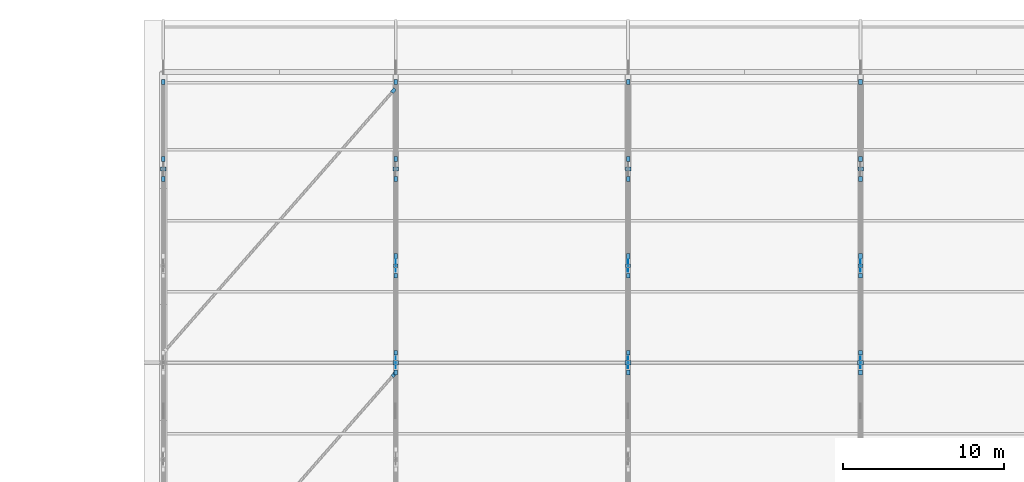
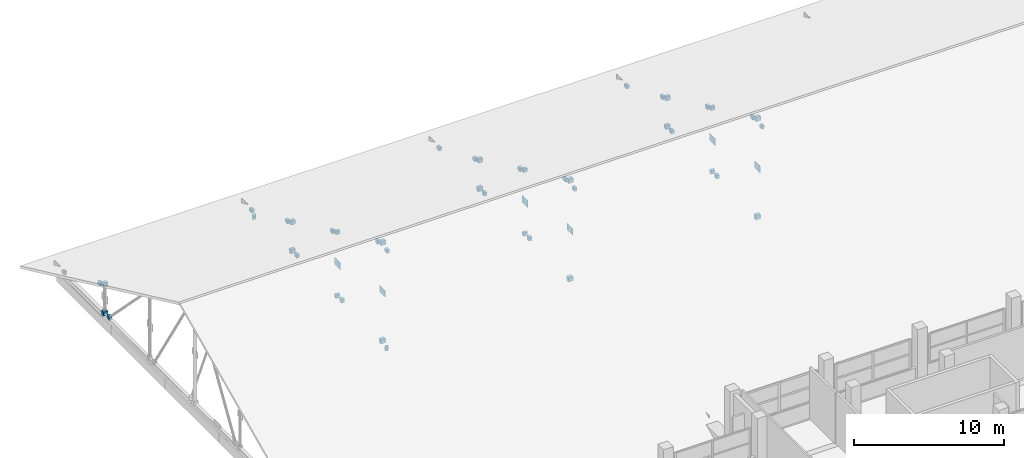
# One storey, part 123 of 141: 52 plates, 4 elements without a shape of their own.
"""IFC4 building model written with IfcOpenShell, lengths in metres."""

from ifc_helpers import new_model, si_unit, direction, frame, origin, origin_2d, place, context, subcontext, project, spatial, rectangle, extrude, material, layer, layer_set, type_object, element, aggregate, save


model = new_model("IFC4")

# Units and contexts
model_context = context("Model", 3, precision=1e-05, world=origin(), true_north=direction((0.0, 1.0)))
body_context = subcontext(model_context, "Body", "Model", "MODEL_VIEW")
ifc_project = project(units=[si_unit("LENGTHUNIT", "METRE"), si_unit("AREAUNIT", "SQUARE_METRE"), si_unit("VOLUMEUNIT", "CUBIC_METRE"), si_unit("PLANEANGLEUNIT", "RADIAN"), si_unit("MASSUNIT", "GRAM", prefix="KILO")], contexts=[model_context])

# Site, building, storey
site_placement = place(None, origin())
site = spatial("IfcSite", under=ifc_project, at=site_placement, CompositionType="ELEMENT")
building_placement = place(site_placement, origin())
building = spatial("IfcBuilding", under=site, at=building_placement, Name="Seraya Terrace Polytechnic", CompositionType="ELEMENT")
storey_placement = place(building_placement, frame((0.0, 0.0, 14.39990234375)))
storey = spatial("IfcBuildingStorey", under=building, at=storey_placement, Name="L03", CompositionType="ELEMENT", Elevation=14.39990234375)

# Assembly, plates
ifc_material = material(Name="Steel S355J2", Category="steel")
element_assembly_type = type_object("IfcElementAssemblyType", Name="TR-A1", PredefinedType="TRUSS", material=ifc_material)
assembly_1_placement = place(storey_placement, origin())
assembly_1 = element("IfcElementAssembly", 1, at=assembly_1_placement, inside=storey, type_object=element_assembly_type, Name="Pitched steel roof truss TR-02", AssemblyPlace="SITE", PredefinedType="TRUSS")
ifc_layer_1 = layer(ifc_material, 0.340087890625, Name="EP-01")
ifc_layer_set_1 = layer_set([ifc_layer_1], Name="Steel S355J2")
plate_type_1 = type_object("IfcPlateType", Name="EP-01", PredefinedType="USERDEFINED", material=ifc_layer_set_1)
plate_1_placement = place(storey_placement, frame((28.800048828125, 97.199951171875, 0.10302734375), z_axis=(0.0, 0.0, 1.0), x_axis=(1.0, 0.0, 0.0)))
plate_1 = element("IfcPlate", 2, at=plate_1_placement, type_object=plate_type_1, Name="Hollow end-cap plate TR-02-V4 start", ObjectType="FLANGE_PLATE", PredefinedType="USERDEFINED", context=body_context, shape_type="SweptSolid", body=[
    extrude(rectangle(XDim=0.360107421875, YDim=0.280029296875, at=origin_2d()), origin(), (0.0, 0.0, 1.0), 0.340087890625),
])
plate_2_placement = place(storey_placement, frame((28.800048828125, 97.199951171875, 8.08154296875), z_axis=(0.0, 0.0, 1.0), x_axis=(1.0, 0.0, 0.0)))
plate_2 = element("IfcPlate", 3, at=plate_2_placement, type_object=plate_type_1, Name="Hollow end-cap plate TR-02-V4 end", ObjectType="FLANGE_PLATE", PredefinedType="USERDEFINED", context=body_context, shape_type="SweptSolid", body=[
    extrude(rectangle(XDim=0.360107421875, YDim=0.280029296875, at=origin_2d()), origin(), (0.0, 0.0, 1.0), 0.340087890625),
])

assembly_2_placement = place(storey_placement, origin())
assembly_2 = element("IfcElementAssembly", 4, at=assembly_2_placement, inside=storey, type_object=element_assembly_type, Name="Pitched steel roof truss TR-03", AssemblyPlace="SITE", PredefinedType="TRUSS")
plate_3_placement = place(storey_placement, frame((43.199951171875, 97.199951171875, 0.10302734375), z_axis=(0.0, 0.0, 1.0), x_axis=(1.0, 0.0, 0.0)))
plate_3 = element("IfcPlate", 5, at=plate_3_placement, type_object=plate_type_1, Name="Hollow end-cap plate TR-03-V4 start", ObjectType="FLANGE_PLATE", PredefinedType="USERDEFINED", context=body_context, shape_type="SweptSolid", body=[
    extrude(rectangle(XDim=0.360107421875, YDim=0.280029296875, at=origin_2d()), origin(), (0.0, 0.0, 1.0), 0.340087890625),
])
plate_4_placement = place(storey_placement, frame((43.199951171875, 97.199951171875, 8.08154296875), z_axis=(0.0, 0.0, 1.0), x_axis=(1.0, 0.0, 0.0)))
plate_4 = element("IfcPlate", 6, at=plate_4_placement, type_object=plate_type_1, Name="Hollow end-cap plate TR-03-V4 end", ObjectType="FLANGE_PLATE", PredefinedType="USERDEFINED", context=body_context, shape_type="SweptSolid", body=[
    extrude(rectangle(XDim=0.360107421875, YDim=0.280029296875, at=origin_2d()), origin(), (0.0, 0.0, 1.0), 0.340087890625),
])

assembly_3_placement = place(storey_placement, origin())
assembly_3 = element("IfcElementAssembly", 7, at=assembly_3_placement, inside=storey, type_object=element_assembly_type, Name="Pitched steel roof truss TR-04", AssemblyPlace="SITE", PredefinedType="TRUSS")
plate_5_placement = place(storey_placement, frame((57.60009765625, 97.199951171875, 0.10302734375), z_axis=(0.0, 0.0, 1.0), x_axis=(1.0, 0.0, 0.0)))
plate_5 = element("IfcPlate", 8, at=plate_5_placement, type_object=plate_type_1, Name="Hollow end-cap plate TR-04-V4 start", ObjectType="FLANGE_PLATE", PredefinedType="USERDEFINED", context=body_context, shape_type="SweptSolid", body=[
    extrude(rectangle(XDim=0.360107421875, YDim=0.280029296875, at=origin_2d()), origin(), (0.0, 0.0, 1.0), 0.340087890625),
])
plate_6_placement = place(storey_placement, frame((57.60009765625, 97.199951171875, 8.08154296875), z_axis=(0.0, 0.0, 1.0), x_axis=(1.0, 0.0, 0.0)))
plate_6 = element("IfcPlate", 9, at=plate_6_placement, type_object=plate_type_1, Name="Hollow end-cap plate TR-04-V4 end", ObjectType="FLANGE_PLATE", PredefinedType="USERDEFINED", context=body_context, shape_type="SweptSolid", body=[
    extrude(rectangle(XDim=0.360107421875, YDim=0.280029296875, at=origin_2d()), origin(), (0.0, 0.0, 1.0), 0.340087890625),
])

assembly_4_placement = place(storey_placement, origin())
assembly_4 = element("IfcElementAssembly", 10, at=assembly_4_placement, inside=storey, type_object=element_assembly_type, Name="Pitched steel roof truss TR-01", AssemblyPlace="SITE", PredefinedType="TRUSS")
ifc_layer_2 = layer(ifc_material, 0.320068359375, Name="EP-02")
ifc_layer_set_2 = layer_set([ifc_layer_2], Name="Steel S355J2")
plate_type_2 = type_object("IfcPlateType", Name="EP-02", PredefinedType="USERDEFINED", material=ifc_layer_set_2)
plate_7_placement = place(storey_placement, frame((14.39990234375, 109.199951171875, 0.138671875), z_axis=(0.0, 0.0, 1.0), x_axis=(1.0, 0.0, 0.0)))
plate_7 = element("IfcPlate", 11, at=plate_7_placement, type_object=plate_type_2, Name="Hollow end-cap plate TR-01-V6 start", ObjectType="FLANGE_PLATE", PredefinedType="USERDEFINED", context=body_context, shape_type="SweptSolid", body=[
    extrude(rectangle(XDim=0.340087890625, YDim=0.260009765625, at=origin_2d()), origin(), (0.0, 0.0, 1.0), 0.320068359375),
])
plate_8_placement = place(storey_placement, frame((14.39990234375, 109.199951171875, 2.4658203125), z_axis=(0.0, 0.0, 1.0), x_axis=(1.0, 0.0, 0.0)))
plate_8 = element("IfcPlate", 12, at=plate_8_placement, type_object=plate_type_2, Name="Hollow end-cap plate TR-01-V6 end", ObjectType="FLANGE_PLATE", PredefinedType="USERDEFINED", context=body_context, shape_type="SweptSolid", body=[
    extrude(rectangle(XDim=0.340087890625, YDim=0.260009765625, at=origin_2d()), origin(), (0.0, 0.0, 1.0), 0.320068359375),
])

# Plate
plate_9_placement = place(storey_placement, frame((28.800048828125, 109.199951171875, 0.138671875), z_axis=(0.0, 0.0, 1.0), x_axis=(1.0, 0.0, 0.0)))
plate_9 = element("IfcPlate", 13, at=plate_9_placement, type_object=plate_type_2, Name="Hollow end-cap plate TR-02-V6 start", ObjectType="FLANGE_PLATE", PredefinedType="USERDEFINED", context=body_context, shape_type="SweptSolid", body=[
    extrude(rectangle(XDim=0.340087890625, YDim=0.260009765625, at=origin_2d()), origin(), (0.0, 0.0, 1.0), 0.320068359375),
])

plate_10_placement = place(storey_placement, frame((28.800048828125, 109.199951171875, 2.4658203125), z_axis=(0.0, 0.0, 1.0), x_axis=(1.0, 0.0, 0.0)))
plate_10 = element("IfcPlate", 14, at=plate_10_placement, type_object=plate_type_2, Name="Hollow end-cap plate TR-02-V6 end", ObjectType="FLANGE_PLATE", PredefinedType="USERDEFINED", context=body_context, shape_type="SweptSolid", body=[
    extrude(rectangle(XDim=0.340087890625, YDim=0.260009765625, at=origin_2d()), origin(), (0.0, 0.0, 1.0), 0.320068359375),
])

plate_11_placement = place(storey_placement, frame((43.199951171875, 109.199951171875, 0.138671875), z_axis=(0.0, 0.0, 1.0), x_axis=(1.0, 0.0, 0.0)))
plate_11 = element("IfcPlate", 15, at=plate_11_placement, type_object=plate_type_2, Name="Hollow end-cap plate TR-03-V6 start", ObjectType="FLANGE_PLATE", PredefinedType="USERDEFINED", context=body_context, shape_type="SweptSolid", body=[
    extrude(rectangle(XDim=0.340087890625, YDim=0.260009765625, at=origin_2d()), origin(), (0.0, 0.0, 1.0), 0.320068359375),
])

plate_12_placement = place(storey_placement, frame((43.199951171875, 109.199951171875, 2.4658203125), z_axis=(0.0, 0.0, 1.0), x_axis=(1.0, 0.0, 0.0)))
plate_12 = element("IfcPlate", 16, at=plate_12_placement, type_object=plate_type_2, Name="Hollow end-cap plate TR-03-V6 end", ObjectType="FLANGE_PLATE", PredefinedType="USERDEFINED", context=body_context, shape_type="SweptSolid", body=[
    extrude(rectangle(XDim=0.340087890625, YDim=0.260009765625, at=origin_2d()), origin(), (0.0, 0.0, 1.0), 0.320068359375),
])

plate_13_placement = place(storey_placement, frame((57.60009765625, 109.199951171875, 0.138671875), z_axis=(0.0, 0.0, 1.0), x_axis=(1.0, 0.0, 0.0)))
plate_13 = element("IfcPlate", 17, at=plate_13_placement, type_object=plate_type_2, Name="Hollow end-cap plate TR-04-V6 start", ObjectType="FLANGE_PLATE", PredefinedType="USERDEFINED", context=body_context, shape_type="SweptSolid", body=[
    extrude(rectangle(XDim=0.340087890625, YDim=0.260009765625, at=origin_2d()), origin(), (0.0, 0.0, 1.0), 0.320068359375),
])

plate_14_placement = place(storey_placement, frame((57.60009765625, 109.199951171875, 2.4658203125), z_axis=(0.0, 0.0, 1.0), x_axis=(1.0, 0.0, 0.0)))
plate_14 = element("IfcPlate", 18, at=plate_14_placement, type_object=plate_type_2, Name="Hollow end-cap plate TR-04-V6 end", ObjectType="FLANGE_PLATE", PredefinedType="USERDEFINED", context=body_context, shape_type="SweptSolid", body=[
    extrude(rectangle(XDim=0.340087890625, YDim=0.260009765625, at=origin_2d()), origin(), (0.0, 0.0, 1.0), 0.320068359375),
])

ifc_layer_3 = layer(ifc_material, 0.280029296875, Name="EP-03")
ifc_layer_set_3 = layer_set([ifc_layer_3], Name="Steel S355J2")
plate_type_3 = type_object("IfcPlateType", Name="EP-03", PredefinedType="USERDEFINED", material=ifc_layer_set_3)
plate_15_placement = place(storey_placement, frame((14.39990234375, 108.585693359375, 0.1455078125), z_axis=(0.0, 0.0, 1.0), x_axis=(0.0, 1.0, 0.0)))
plate_15 = element("IfcPlate", 19, at=plate_15_placement, type_object=plate_type_3, Name="Hollow end-cap plate TR-01-D5 end", ObjectType="FLANGE_PLATE", PredefinedType="USERDEFINED", context=body_context, shape_type="SweptSolid", body=[
    extrude(rectangle(XDim=0.300048828125, YDim=0.219970703125, at=origin_2d()), origin(), (0.0, 0.0, 1.0), 0.280029296875),
])

plate_16_placement = place(storey_placement, frame((14.39990234375, 109.8125, 2.181640625), z_axis=(0.0, 0.0, 1.0), x_axis=(0.0, 1.0, 0.0)))
plate_16 = element("IfcPlate", 20, at=plate_16_placement, type_object=plate_type_3, Name="Hollow end-cap plate TR-01-D6 start", ObjectType="FLANGE_PLATE", PredefinedType="USERDEFINED", context=body_context, shape_type="SweptSolid", body=[
    extrude(rectangle(XDim=0.300048828125, YDim=0.219970703125, at=origin_2d()), origin(), (0.0, 0.0, 1.0), 0.280029296875),
])

plate_17_placement = place(storey_placement, frame((14.39990234375, 114.58740234375, 0.17333984375), z_axis=(0.0, 0.0, 1.0), x_axis=(0.0, 1.0, 0.0)))
plate_17 = element("IfcPlate", 21, at=plate_17_placement, type_object=plate_type_3, Name="Hollow end-cap plate TR-01-D6 end", ObjectType="FLANGE_PLATE", PredefinedType="USERDEFINED", context=body_context, shape_type="SweptSolid", body=[
    extrude(rectangle(XDim=0.300048828125, YDim=0.219970703125, at=origin_2d()), origin(), (0.0, 0.0, 1.0), 0.280029296875),
])

aggregate(assembly_4, [plate_7, plate_8, plate_15, plate_16, plate_17])

plate_18_placement = place(storey_placement, frame((28.800048828125, 103.199951171875, 0.13330078125), z_axis=(0.0, 0.0, 1.0), x_axis=(1.0, 0.0, 0.0)))
plate_18 = element("IfcPlate", 22, at=plate_18_placement, type_object=plate_type_3, Name="Hollow end-cap plate TR-02-V5 start", ObjectType="FLANGE_PLATE", PredefinedType="USERDEFINED", context=body_context, shape_type="SweptSolid", body=[
    extrude(rectangle(XDim=0.300048828125, YDim=0.219970703125, at=origin_2d()), origin(), (0.0, 0.0, 1.0), 0.280029296875),
])

plate_19_placement = place(storey_placement, frame((28.800048828125, 103.199951171875, 5.3115234375), z_axis=(0.0, 0.0, 1.0), x_axis=(1.0, 0.0, 0.0)))
plate_19 = element("IfcPlate", 23, at=plate_19_placement, type_object=plate_type_3, Name="Hollow end-cap plate TR-02-V5 end", ObjectType="FLANGE_PLATE", PredefinedType="USERDEFINED", context=body_context, shape_type="SweptSolid", body=[
    extrude(rectangle(XDim=0.300048828125, YDim=0.219970703125, at=origin_2d()), origin(), (0.0, 0.0, 1.0), 0.280029296875),
])

plate_20_placement = place(storey_placement, frame((28.800048828125, 96.584228515625, 7.81103515625), z_axis=(0.0, 0.0, 1.0), x_axis=(0.0, 1.0, 0.0)))
plate_20 = element("IfcPlate", 24, at=plate_20_placement, type_object=plate_type_3, Name="Hollow end-cap plate TR-02-D3 end", ObjectType="FLANGE_PLATE", PredefinedType="USERDEFINED", context=body_context, shape_type="SweptSolid", body=[
    extrude(rectangle(XDim=0.300048828125, YDim=0.219970703125, at=origin_2d()), origin(), (0.0, 0.0, 1.0), 0.280029296875),
])

plate_21_placement = place(storey_placement, frame((28.800048828125, 97.81591796875, 7.81103515625), z_axis=(0.0, 0.0, 1.0), x_axis=(0.0, 1.0, 0.0)))
plate_21 = element("IfcPlate", 25, at=plate_21_placement, type_object=plate_type_3, Name="Hollow end-cap plate TR-02-D4 start", ObjectType="FLANGE_PLATE", PredefinedType="USERDEFINED", context=body_context, shape_type="SweptSolid", body=[
    extrude(rectangle(XDim=0.300048828125, YDim=0.219970703125, at=origin_2d()), origin(), (0.0, 0.0, 1.0), 0.280029296875),
])

plate_22_placement = place(storey_placement, frame((28.800048828125, 102.584228515625, 0.14404296875), z_axis=(0.0, 0.0, 1.0), x_axis=(0.0, 1.0, 0.0)))
plate_22 = element("IfcPlate", 26, at=plate_22_placement, type_object=plate_type_3, Name="Hollow end-cap plate TR-02-D4 end", ObjectType="FLANGE_PLATE", PredefinedType="USERDEFINED", context=body_context, shape_type="SweptSolid", body=[
    extrude(rectangle(XDim=0.300048828125, YDim=0.219970703125, at=origin_2d()), origin(), (0.0, 0.0, 1.0), 0.280029296875),
])

plate_23_placement = place(storey_placement, frame((28.800048828125, 103.814453125, 5.009765625), z_axis=(0.0, 0.0, 1.0), x_axis=(0.0, 1.0, 0.0)))
plate_23 = element("IfcPlate", 27, at=plate_23_placement, type_object=plate_type_3, Name="Hollow end-cap plate TR-02-D5 start", ObjectType="FLANGE_PLATE", PredefinedType="USERDEFINED", context=body_context, shape_type="SweptSolid", body=[
    extrude(rectangle(XDim=0.300048828125, YDim=0.219970703125, at=origin_2d()), origin(), (0.0, 0.0, 1.0), 0.280029296875),
])

plate_24_placement = place(storey_placement, frame((28.800048828125, 108.585693359375, 0.1455078125), z_axis=(0.0, 0.0, 1.0), x_axis=(0.0, 1.0, 0.0)))
plate_24 = element("IfcPlate", 28, at=plate_24_placement, type_object=plate_type_3, Name="Hollow end-cap plate TR-02-D5 end", ObjectType="FLANGE_PLATE", PredefinedType="USERDEFINED", context=body_context, shape_type="SweptSolid", body=[
    extrude(rectangle(XDim=0.300048828125, YDim=0.219970703125, at=origin_2d()), origin(), (0.0, 0.0, 1.0), 0.280029296875),
])

plate_25_placement = place(storey_placement, frame((28.800048828125, 109.8125, 2.181640625), z_axis=(0.0, 0.0, 1.0), x_axis=(0.0, 1.0, 0.0)))
plate_25 = element("IfcPlate", 29, at=plate_25_placement, type_object=plate_type_3, Name="Hollow end-cap plate TR-02-D6 start", ObjectType="FLANGE_PLATE", PredefinedType="USERDEFINED", context=body_context, shape_type="SweptSolid", body=[
    extrude(rectangle(XDim=0.300048828125, YDim=0.219970703125, at=origin_2d()), origin(), (0.0, 0.0, 1.0), 0.280029296875),
])

plate_26_placement = place(storey_placement, frame((28.800048828125, 114.58740234375, 0.17333984375), z_axis=(0.0, 0.0, 1.0), x_axis=(0.0, 1.0, 0.0)))
plate_26 = element("IfcPlate", 30, at=plate_26_placement, type_object=plate_type_3, Name="Hollow end-cap plate TR-02-D6 end", ObjectType="FLANGE_PLATE", PredefinedType="USERDEFINED", context=body_context, shape_type="SweptSolid", body=[
    extrude(rectangle(XDim=0.300048828125, YDim=0.219970703125, at=origin_2d()), origin(), (0.0, 0.0, 1.0), 0.280029296875),
])

plate_27_placement = place(storey_placement, frame((43.199951171875, 103.199951171875, 0.13330078125), z_axis=(0.0, 0.0, 1.0), x_axis=(1.0, 0.0, 0.0)))
plate_27 = element("IfcPlate", 31, at=plate_27_placement, type_object=plate_type_3, Name="Hollow end-cap plate TR-03-V5 start", ObjectType="FLANGE_PLATE", PredefinedType="USERDEFINED", context=body_context, shape_type="SweptSolid", body=[
    extrude(rectangle(XDim=0.300048828125, YDim=0.219970703125, at=origin_2d()), origin(), (0.0, 0.0, 1.0), 0.280029296875),
])

plate_28_placement = place(storey_placement, frame((43.199951171875, 103.199951171875, 5.3115234375), z_axis=(0.0, 0.0, 1.0), x_axis=(1.0, 0.0, 0.0)))
plate_28 = element("IfcPlate", 32, at=plate_28_placement, type_object=plate_type_3, Name="Hollow end-cap plate TR-03-V5 end", ObjectType="FLANGE_PLATE", PredefinedType="USERDEFINED", context=body_context, shape_type="SweptSolid", body=[
    extrude(rectangle(XDim=0.300048828125, YDim=0.219970703125, at=origin_2d()), origin(), (0.0, 0.0, 1.0), 0.280029296875),
])

plate_29_placement = place(storey_placement, frame((43.199951171875, 96.584228515625, 7.81103515625), z_axis=(0.0, 0.0, 1.0), x_axis=(0.0, 1.0, 0.0)))
plate_29 = element("IfcPlate", 33, at=plate_29_placement, type_object=plate_type_3, Name="Hollow end-cap plate TR-03-D3 end", ObjectType="FLANGE_PLATE", PredefinedType="USERDEFINED", context=body_context, shape_type="SweptSolid", body=[
    extrude(rectangle(XDim=0.300048828125, YDim=0.219970703125, at=origin_2d()), origin(), (0.0, 0.0, 1.0), 0.280029296875),
])

plate_30_placement = place(storey_placement, frame((43.199951171875, 97.81591796875, 7.81103515625), z_axis=(0.0, 0.0, 1.0), x_axis=(0.0, 1.0, 0.0)))
plate_30 = element("IfcPlate", 34, at=plate_30_placement, type_object=plate_type_3, Name="Hollow end-cap plate TR-03-D4 start", ObjectType="FLANGE_PLATE", PredefinedType="USERDEFINED", context=body_context, shape_type="SweptSolid", body=[
    extrude(rectangle(XDim=0.300048828125, YDim=0.219970703125, at=origin_2d()), origin(), (0.0, 0.0, 1.0), 0.280029296875),
])

plate_31_placement = place(storey_placement, frame((43.199951171875, 102.584228515625, 0.14404296875), z_axis=(0.0, 0.0, 1.0), x_axis=(0.0, 1.0, 0.0)))
plate_31 = element("IfcPlate", 35, at=plate_31_placement, type_object=plate_type_3, Name="Hollow end-cap plate TR-03-D4 end", ObjectType="FLANGE_PLATE", PredefinedType="USERDEFINED", context=body_context, shape_type="SweptSolid", body=[
    extrude(rectangle(XDim=0.300048828125, YDim=0.219970703125, at=origin_2d()), origin(), (0.0, 0.0, 1.0), 0.280029296875),
])

plate_32_placement = place(storey_placement, frame((43.199951171875, 103.814453125, 5.009765625), z_axis=(0.0, 0.0, 1.0), x_axis=(0.0, 1.0, 0.0)))
plate_32 = element("IfcPlate", 36, at=plate_32_placement, type_object=plate_type_3, Name="Hollow end-cap plate TR-03-D5 start", ObjectType="FLANGE_PLATE", PredefinedType="USERDEFINED", context=body_context, shape_type="SweptSolid", body=[
    extrude(rectangle(XDim=0.300048828125, YDim=0.219970703125, at=origin_2d()), origin(), (0.0, 0.0, 1.0), 0.280029296875),
])

plate_33_placement = place(storey_placement, frame((43.199951171875, 108.585693359375, 0.1455078125), z_axis=(0.0, 0.0, 1.0), x_axis=(0.0, 1.0, 0.0)))
plate_33 = element("IfcPlate", 37, at=plate_33_placement, type_object=plate_type_3, Name="Hollow end-cap plate TR-03-D5 end", ObjectType="FLANGE_PLATE", PredefinedType="USERDEFINED", context=body_context, shape_type="SweptSolid", body=[
    extrude(rectangle(XDim=0.300048828125, YDim=0.219970703125, at=origin_2d()), origin(), (0.0, 0.0, 1.0), 0.280029296875),
])

plate_34_placement = place(storey_placement, frame((43.199951171875, 109.8125, 2.181640625), z_axis=(0.0, 0.0, 1.0), x_axis=(0.0, 1.0, 0.0)))
plate_34 = element("IfcPlate", 38, at=plate_34_placement, type_object=plate_type_3, Name="Hollow end-cap plate TR-03-D6 start", ObjectType="FLANGE_PLATE", PredefinedType="USERDEFINED", context=body_context, shape_type="SweptSolid", body=[
    extrude(rectangle(XDim=0.300048828125, YDim=0.219970703125, at=origin_2d()), origin(), (0.0, 0.0, 1.0), 0.280029296875),
])

plate_35_placement = place(storey_placement, frame((43.199951171875, 114.58740234375, 0.17333984375), z_axis=(0.0, 0.0, 1.0), x_axis=(0.0, 1.0, 0.0)))
plate_35 = element("IfcPlate", 39, at=plate_35_placement, type_object=plate_type_3, Name="Hollow end-cap plate TR-03-D6 end", ObjectType="FLANGE_PLATE", PredefinedType="USERDEFINED", context=body_context, shape_type="SweptSolid", body=[
    extrude(rectangle(XDim=0.300048828125, YDim=0.219970703125, at=origin_2d()), origin(), (0.0, 0.0, 1.0), 0.280029296875),
])

plate_36_placement = place(storey_placement, frame((57.60009765625, 103.199951171875, 0.13330078125), z_axis=(0.0, 0.0, 1.0), x_axis=(1.0, 0.0, 0.0)))
plate_36 = element("IfcPlate", 40, at=plate_36_placement, type_object=plate_type_3, Name="Hollow end-cap plate TR-04-V5 start", ObjectType="FLANGE_PLATE", PredefinedType="USERDEFINED", context=body_context, shape_type="SweptSolid", body=[
    extrude(rectangle(XDim=0.300048828125, YDim=0.219970703125, at=origin_2d()), origin(), (0.0, 0.0, 1.0), 0.280029296875),
])

plate_37_placement = place(storey_placement, frame((57.60009765625, 103.199951171875, 5.3115234375), z_axis=(0.0, 0.0, 1.0), x_axis=(1.0, 0.0, 0.0)))
plate_37 = element("IfcPlate", 41, at=plate_37_placement, type_object=plate_type_3, Name="Hollow end-cap plate TR-04-V5 end", ObjectType="FLANGE_PLATE", PredefinedType="USERDEFINED", context=body_context, shape_type="SweptSolid", body=[
    extrude(rectangle(XDim=0.300048828125, YDim=0.219970703125, at=origin_2d()), origin(), (0.0, 0.0, 1.0), 0.280029296875),
])

plate_38_placement = place(storey_placement, frame((57.60009765625, 96.584228515625, 7.81103515625), z_axis=(0.0, 0.0, 1.0), x_axis=(0.0, 1.0, 0.0)))
plate_38 = element("IfcPlate", 42, at=plate_38_placement, type_object=plate_type_3, Name="Hollow end-cap plate TR-04-D3 end", ObjectType="FLANGE_PLATE", PredefinedType="USERDEFINED", context=body_context, shape_type="SweptSolid", body=[
    extrude(rectangle(XDim=0.300048828125, YDim=0.219970703125, at=origin_2d()), origin(), (0.0, 0.0, 1.0), 0.280029296875),
])

plate_39_placement = place(storey_placement, frame((57.60009765625, 97.81591796875, 7.81103515625), z_axis=(0.0, 0.0, 1.0), x_axis=(0.0, 1.0, 0.0)))
plate_39 = element("IfcPlate", 43, at=plate_39_placement, type_object=plate_type_3, Name="Hollow end-cap plate TR-04-D4 start", ObjectType="FLANGE_PLATE", PredefinedType="USERDEFINED", context=body_context, shape_type="SweptSolid", body=[
    extrude(rectangle(XDim=0.300048828125, YDim=0.219970703125, at=origin_2d()), origin(), (0.0, 0.0, 1.0), 0.280029296875),
])

plate_40_placement = place(storey_placement, frame((57.60009765625, 102.584228515625, 0.14404296875), z_axis=(0.0, 0.0, 1.0), x_axis=(0.0, 1.0, 0.0)))
plate_40 = element("IfcPlate", 44, at=plate_40_placement, type_object=plate_type_3, Name="Hollow end-cap plate TR-04-D4 end", ObjectType="FLANGE_PLATE", PredefinedType="USERDEFINED", context=body_context, shape_type="SweptSolid", body=[
    extrude(rectangle(XDim=0.300048828125, YDim=0.219970703125, at=origin_2d()), origin(), (0.0, 0.0, 1.0), 0.280029296875),
])

plate_41_placement = place(storey_placement, frame((57.60009765625, 103.814453125, 5.009765625), z_axis=(0.0, 0.0, 1.0), x_axis=(0.0, 1.0, 0.0)))
plate_41 = element("IfcPlate", 45, at=plate_41_placement, type_object=plate_type_3, Name="Hollow end-cap plate TR-04-D5 start", ObjectType="FLANGE_PLATE", PredefinedType="USERDEFINED", context=body_context, shape_type="SweptSolid", body=[
    extrude(rectangle(XDim=0.300048828125, YDim=0.219970703125, at=origin_2d()), origin(), (0.0, 0.0, 1.0), 0.280029296875),
])

plate_42_placement = place(storey_placement, frame((57.60009765625, 108.585693359375, 0.1455078125), z_axis=(0.0, 0.0, 1.0), x_axis=(0.0, 1.0, 0.0)))
plate_42 = element("IfcPlate", 46, at=plate_42_placement, type_object=plate_type_3, Name="Hollow end-cap plate TR-04-D5 end", ObjectType="FLANGE_PLATE", PredefinedType="USERDEFINED", context=body_context, shape_type="SweptSolid", body=[
    extrude(rectangle(XDim=0.300048828125, YDim=0.219970703125, at=origin_2d()), origin(), (0.0, 0.0, 1.0), 0.280029296875),
])

plate_43_placement = place(storey_placement, frame((57.60009765625, 109.8125, 2.181640625), z_axis=(0.0, 0.0, 1.0), x_axis=(0.0, 1.0, 0.0)))
plate_43 = element("IfcPlate", 47, at=plate_43_placement, type_object=plate_type_3, Name="Hollow end-cap plate TR-04-D6 start", ObjectType="FLANGE_PLATE", PredefinedType="USERDEFINED", context=body_context, shape_type="SweptSolid", body=[
    extrude(rectangle(XDim=0.300048828125, YDim=0.219970703125, at=origin_2d()), origin(), (0.0, 0.0, 1.0), 0.280029296875),
])

plate_44_placement = place(storey_placement, frame((57.60009765625, 114.58740234375, 0.17333984375), z_axis=(0.0, 0.0, 1.0), x_axis=(0.0, 1.0, 0.0)))
plate_44 = element("IfcPlate", 48, at=plate_44_placement, type_object=plate_type_3, Name="Hollow end-cap plate TR-04-D6 end", ObjectType="FLANGE_PLATE", PredefinedType="USERDEFINED", context=body_context, shape_type="SweptSolid", body=[
    extrude(rectangle(XDim=0.300048828125, YDim=0.219970703125, at=origin_2d()), origin(), (0.0, 0.0, 1.0), 0.280029296875),
])

# Plates
for number, where, z_axis, x_axis, name in (
    (49, (28.687255859375, 96.4560546875, 0.01025390625), (0.0, 0.0, 1.0), (0.659870537582, 0.751379314082, 0.0), "Hollow end-cap plate RBR-B1-S1 end"),
    (50, (28.663330078125, 114.055908203125, 0.01025390625), (0.0, 0.0, 1.0), (0.659870537582, 0.751379314082, 0.0), "Hollow end-cap plate RBR-B1-N1 end"),
):
    element("IfcPlate", number, at=place(storey_placement, frame(where, z_axis=z_axis, x_axis=x_axis)), inside=storey, type_object=plate_type_3, Name=name, ObjectType="FLANGE_PLATE", PredefinedType="USERDEFINED", context=body_context, shape_type="SweptSolid", body=[
        extrude(rectangle(XDim=0.300048828125, YDim=0.219970703125, at=origin_2d()), origin(), (0.0, 0.0, 1.0), 0.280029296875),
    ])

# Plate
ifc_layer_4 = layer(ifc_material, 0.02392578125, Name="TN-04")
ifc_layer_set_4 = layer_set([ifc_layer_4], Name="Steel S355J2")
plate_type_4 = type_object("IfcPlateType", Name="TN-04", PredefinedType="USERDEFINED", material=ifc_layer_set_4)
plate_45_placement = place(storey_placement, frame((28.800048828125, 97.199951171875, 4.005126953125), z_axis=(0.0, 0.0, 1.0), x_axis=(0.0, 1.0, 0.0)))
plate_45 = element("IfcPlate", 51, at=plate_45_placement, type_object=plate_type_4, Name="TR-02 bolted node gusset plate TN-04", ObjectType="GUSSET_PLATE", PredefinedType="USERDEFINED", context=body_context, shape_type="SweptSolid", body=[
    extrude(rectangle(XDim=0.719970703125, YDim=0.02392578125, at=origin_2d()), origin(), (0.0, 0.0, 1.0), 0.5400390625),
])

plate_46_placement = place(storey_placement, frame((43.199951171875, 97.199951171875, 4.005126953125), z_axis=(0.0, 0.0, 1.0), x_axis=(0.0, 1.0, 0.0)))
plate_46 = element("IfcPlate", 52, at=plate_46_placement, type_object=plate_type_4, Name="TR-03 bolted node gusset plate TN-04", ObjectType="GUSSET_PLATE", PredefinedType="USERDEFINED", context=body_context, shape_type="SweptSolid", body=[
    extrude(rectangle(XDim=0.719970703125, YDim=0.02392578125, at=origin_2d()), origin(), (0.0, 0.0, 1.0), 0.5400390625),
])

plate_47_placement = place(storey_placement, frame((57.60009765625, 97.199951171875, 4.005126953125), z_axis=(0.0, 0.0, 1.0), x_axis=(0.0, 1.0, 0.0)))
plate_47 = element("IfcPlate", 53, at=plate_47_placement, type_object=plate_type_4, Name="TR-04 bolted node gusset plate TN-04", ObjectType="GUSSET_PLATE", PredefinedType="USERDEFINED", context=body_context, shape_type="SweptSolid", body=[
    extrude(rectangle(XDim=0.719970703125, YDim=0.02392578125, at=origin_2d()), origin(), (0.0, 0.0, 1.0), 0.5400390625),
])

ifc_layer_5 = layer(ifc_material, 0.02587890625, Name="TN-05")
ifc_layer_set_5 = layer_set([ifc_layer_5], Name="Steel S355J2")
plate_type_5 = type_object("IfcPlateType", Name="TN-05", PredefinedType="USERDEFINED", material=ifc_layer_set_5)
plate_48_placement = place(storey_placement, frame((28.800048828125, 103.199951171875, 2.58984375), z_axis=(0.0, 0.0, 1.0), x_axis=(0.0, 1.0, 0.0)))
plate_48 = element("IfcPlate", 54, at=plate_48_placement, type_object=plate_type_5, Name="TR-02 bolted node gusset plate TN-05", ObjectType="GUSSET_PLATE", PredefinedType="USERDEFINED", context=body_context, shape_type="SweptSolid", body=[
    extrude(rectangle(XDim=0.760009765625, YDim=0.02587890625, at=origin_2d()), origin(), (0.0, 0.0, 1.0), 0.570068359375),
])

aggregate(assembly_1, [plate_1, plate_2, plate_45, plate_18, plate_19, plate_48, plate_9, plate_10, plate_20, plate_21, plate_22, plate_23, plate_24, plate_25, plate_26])

plate_49_placement = place(storey_placement, frame((43.199951171875, 103.199951171875, 2.58984375), z_axis=(0.0, 0.0, 1.0), x_axis=(0.0, 1.0, 0.0)))
plate_49 = element("IfcPlate", 55, at=plate_49_placement, type_object=plate_type_5, Name="TR-03 bolted node gusset plate TN-05", ObjectType="GUSSET_PLATE", PredefinedType="USERDEFINED", context=body_context, shape_type="SweptSolid", body=[
    extrude(rectangle(XDim=0.760009765625, YDim=0.02587890625, at=origin_2d()), origin(), (0.0, 0.0, 1.0), 0.570068359375),
])

aggregate(assembly_2, [plate_3, plate_4, plate_46, plate_27, plate_28, plate_49, plate_11, plate_12, plate_29, plate_30, plate_31, plate_32, plate_33, plate_34, plate_35])

plate_50_placement = place(storey_placement, frame((57.60009765625, 103.199951171875, 2.58984375), z_axis=(0.0, 0.0, 1.0), x_axis=(0.0, 1.0, 0.0)))
plate_50 = element("IfcPlate", 56, at=plate_50_placement, type_object=plate_type_5, Name="TR-04 bolted node gusset plate TN-05", ObjectType="GUSSET_PLATE", PredefinedType="USERDEFINED", context=body_context, shape_type="SweptSolid", body=[
    extrude(rectangle(XDim=0.760009765625, YDim=0.02587890625, at=origin_2d()), origin(), (0.0, 0.0, 1.0), 0.570068359375),
])

aggregate(assembly_3, [plate_5, plate_6, plate_47, plate_36, plate_37, plate_50, plate_13, plate_14, plate_38, plate_39, plate_40, plate_41, plate_42, plate_43, plate_44])

save(model, "model.ifc")
